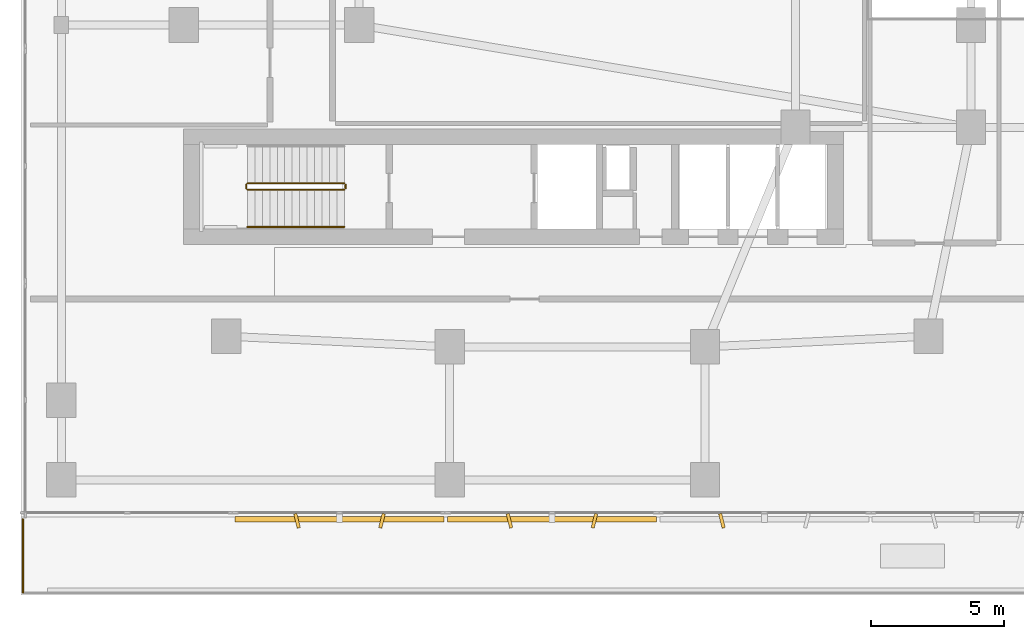
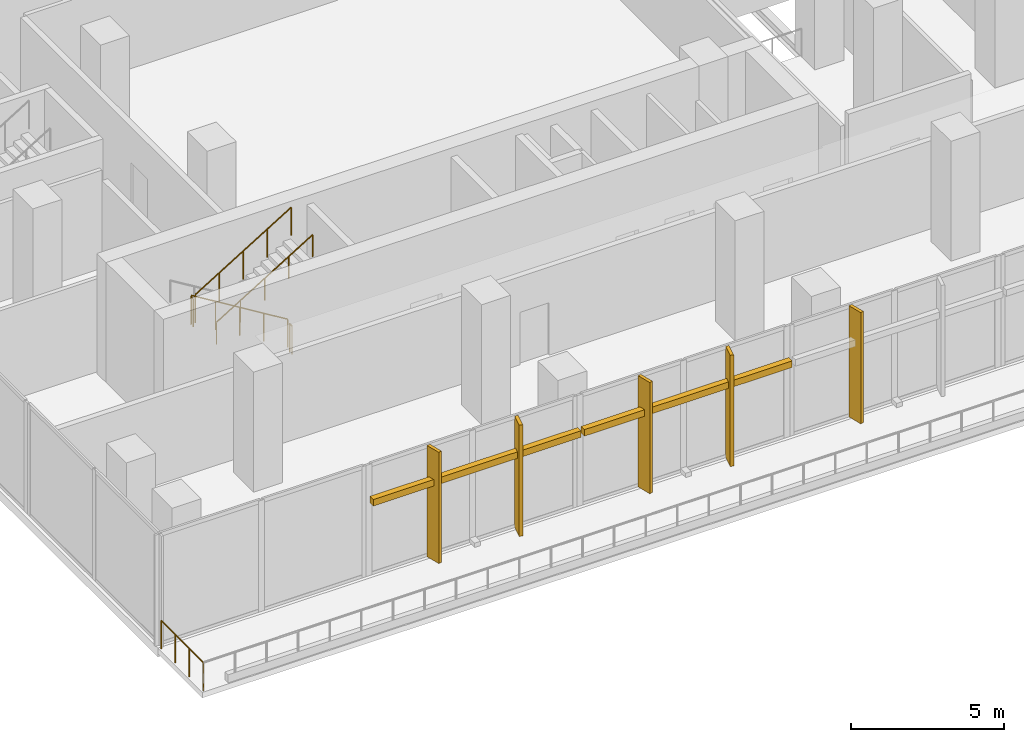
# One storey, part 18 of 30: 7 shading devices, 6 railings.
"""IFC4 building model written with IfcOpenShell, lengths in metres."""

from ifc_helpers import new_model, si_unit, derived_unit, direction, frame, origin, origin_2d, place, context, subcontext, project, spatial, rectangle, circle, extrude, material, type_object, element, save


model = new_model("IFC4")

# Units and contexts
model_context = context("Model", 3, precision=1e-05, world=origin(), true_north=direction((0.0, 1.0)))
body_context = subcontext(model_context, "Body", "Model", "MODEL_VIEW")
ifc_project = project(units=[si_unit("LENGTHUNIT", "METRE"), si_unit("AREAUNIT", "SQUARE_METRE"), si_unit("VOLUMEUNIT", "CUBIC_METRE"), si_unit("PLANEANGLEUNIT", "RADIAN"), si_unit("MASSUNIT", "GRAM", prefix="KILO"), derived_unit("THERMALTRANSMITTANCEUNIT", [(si_unit("POWERUNIT", "WATT"), 1), (si_unit("LENGTHUNIT", "METRE"), -2), (si_unit("THERMODYNAMICTEMPERATUREUNIT", "KELVIN"), -1)])], contexts=[model_context])

# Site, building, storey
site_placement = place(None, origin())
site = spatial("IfcSite", under=ifc_project, at=site_placement, CompositionType="ELEMENT")
building_placement = place(site_placement, origin())
building = spatial("IfcBuilding", under=site, at=building_placement, Name="Kivonza Crest Hotel", CompositionType="ELEMENT")
storey_placement = place(building_placement, frame((0.0, 0.0, 10.199951171875)))
storey = spatial("IfcBuildingStorey", under=building, at=storey_placement, Name="L02", CompositionType="ELEMENT", Elevation=10.199951171875)

# Railings
ifc_material_1 = material(Name="Brushed stainless steel handrail", Category="steel")
railing_type_1 = type_object("IfcRailingType", Name="RL-HAND-900", PredefinedType="HANDRAIL", material=ifc_material_1)
railing_1_placement = place(storey_placement, frame((8.60009765625, 13.909912109375, 2.571533203125)))
element("IfcRailing", 1, at=railing_1_placement, inside=storey, type_object=railing_type_1, Name="L02 ST-T1-S stair handrail 2", PredefinedType="HANDRAIL", context=body_context, shape_type="SweptSolid", body=[
    extrude(circle(Radius=0.02392578125, at=origin_2d()), frame((0.0, 0.0, 0.8759765625), z_axis=(0.852850264322, 0.0, 0.5221555579), x_axis=(0.0, 1.0, 0.0)), (0.0, 0.0, 1.0), 4.267822265625),
    extrude(circle(Radius=0.02099609375, at=origin_2d()), origin(), (0.0, 0.0, 1.0), 0.851806640625),
    extrude(circle(Radius=0.02099609375, at=origin_2d()), frame((0.909912109375, 0.0, 0.55712890625)), (0.0, 0.0, 1.0), 0.851806640625),
    extrude(circle(Radius=0.02099609375, at=origin_2d()), frame((1.81982421875, 0.0, 1.1142578125)), (0.0, 0.0, 1.0), 0.851806640625),
    extrude(circle(Radius=0.02099609375, at=origin_2d()), frame((2.72998046875, 0.0, 1.67138671875)), (0.0, 0.0, 1.0), 0.851806640625),
    extrude(circle(Radius=0.02099609375, at=origin_2d()), frame((3.639892578125, 0.0, 2.228515625)), (0.0, 0.0, 1.0), 0.851806640625),
])
ifc_material_2 = material(Name="Painted steel balustrade", Category="steel")
railing_type_2 = type_object("IfcRailingType", Name="RL-STAIR-1150", PredefinedType="BALUSTRADE", material=ifc_material_2)
railing_2_placement = place(storey_placement, frame((12.239990234375, 15.550048828125, 0.17138671875)))
element("IfcRailing", 2, at=railing_2_placement, inside=storey, type_object=railing_type_2, Name="L02 ST-T1-S stair guard 1", PredefinedType="BALUSTRADE", context=body_context, shape_type="SweptSolid", body=[
    extrude(circle(Radius=0.02392578125, at=origin_2d()), frame((0.0, 0.0, 1.1259765625), z_axis=(-0.852824790078, 0.0, 0.522197163366), x_axis=(0.0, -1.0, 0.0)), (0.0, 0.0, 1.0), 4.26806640625),
    extrude(circle(Radius=0.02099609375, at=origin_2d()), origin(), (0.0, 0.0, 1.0), 1.101806640625),
    extrude(circle(Radius=0.02099609375, at=origin_2d()), frame((-0.909912109375, 0.0, 0.55712890625)), (0.0, 0.0, 1.0), 1.101806640625),
    extrude(circle(Radius=0.02099609375, at=origin_2d()), frame((-1.81982421875, 0.0, 1.1142578125)), (0.0, 0.0, 1.0), 1.101806640625),
    extrude(circle(Radius=0.02099609375, at=origin_2d()), frame((-2.72998046875, 0.0, 1.671630859375)), (0.0, 0.0, 1.0), 1.101806640625),
    extrude(circle(Radius=0.02099609375, at=origin_2d()), frame((-3.639892578125, 0.0, 2.228759765625)), (0.0, 0.0, 1.0), 1.101806640625),
])
railing_3_placement = place(storey_placement, frame((8.550048828125, 15.5, 2.400146484375)))
element("IfcRailing", 3, at=railing_3_placement, inside=storey, type_object=railing_type_2, Name="L02 ST-T1-S stair guard 2", PredefinedType="BALUSTRADE", context=body_context, shape_type="SweptSolid", body=[
    extrude(circle(Radius=0.02392578125, at=origin_2d()), frame((0.0, 0.0, 1.1259765625), z_axis=(0.0, -1.0, 0.0), x_axis=(1.0, 0.0, 0.0)), (0.0, 0.0, 1.0), 0.139892578125),
    extrude(circle(Radius=0.02099609375, at=origin_2d()), origin(), (0.0, 0.0, 1.0), 1.101806640625),
    extrude(circle(Radius=0.02099609375, at=origin_2d()), frame((0.0, -0.139892578125, 0.0)), (0.0, 0.0, 1.0), 1.101806640625),
])
railing_4_placement = place(storey_placement, frame((8.60009765625, 15.31005859375, 2.571533203125)))
element("IfcRailing", 4, at=railing_4_placement, inside=storey, type_object=railing_type_2, Name="L02 ST-T1-S stair guard 3", PredefinedType="BALUSTRADE", context=body_context, shape_type="SweptSolid", body=[
    extrude(circle(Radius=0.02392578125, at=origin_2d()), frame((0.0, 0.0, 1.1259765625), z_axis=(0.852850264322, 0.0, 0.5221555579), x_axis=(0.0, 1.0, 0.0)), (0.0, 0.0, 1.0), 4.267822265625),
    extrude(circle(Radius=0.02099609375, at=origin_2d()), origin(), (0.0, 0.0, 1.0), 1.101806640625),
    extrude(circle(Radius=0.02099609375, at=origin_2d()), frame((0.909912109375, 0.0, 0.55712890625)), (0.0, 0.0, 1.0), 1.101806640625),
    extrude(circle(Radius=0.02099609375, at=origin_2d()), frame((1.81982421875, 0.0, 1.1142578125)), (0.0, 0.0, 1.0), 1.101806640625),
    extrude(circle(Radius=0.02099609375, at=origin_2d()), frame((2.72998046875, 0.0, 1.67138671875)), (0.0, 0.0, 1.0), 1.101806640625),
    extrude(circle(Radius=0.02099609375, at=origin_2d()), frame((3.639892578125, 0.0, 2.228515625)), (0.0, 0.0, 1.0), 1.101806640625),
])
railing_5_placement = place(storey_placement, frame((12.2900390625, 15.5, 0.0)))
element("IfcRailing", 5, at=railing_5_placement, inside=storey, type_object=railing_type_2, Name="L02 ST-T1-S stair guard 4", PredefinedType="BALUSTRADE", context=body_context, shape_type="SweptSolid", body=[
    extrude(circle(Radius=0.02392578125, at=origin_2d()), frame((0.0, 0.0, 1.1259765625), z_axis=(0.0, -1.0, 0.0), x_axis=(1.0, 0.0, 0.0)), (0.0, 0.0, 1.0), 0.139892578125),
    extrude(circle(Radius=0.02099609375, at=origin_2d()), origin(), (0.0, 0.0, 1.0), 1.101806640625),
    extrude(circle(Radius=0.02099609375, at=origin_2d()), frame((0.0, -0.139892578125, 0.0)), (0.0, 0.0, 1.0), 1.101806640625),
])
ifc_material_3 = material(Name="Laminated glass and stainless steel balustrade", Category="steel")
railing_type_3 = type_object("IfcRailingType", Name="RL-TERR-1150", PredefinedType="BALUSTRADE", material=ifc_material_3)
railing_6_placement = place(storey_placement, frame((0.159912109375, 0.159912109375, 0.0)))
element("IfcRailing", 6, at=railing_6_placement, inside=storey, type_object=railing_type_3, Name="L02 POD-L02-T1 perimeter safety balustrade 1", PredefinedType="BALUSTRADE", context=body_context, shape_type="SweptSolid", body=[
    extrude(circle(Radius=0.02392578125, at=origin_2d()), frame((0.0, 0.0, 1.1259765625), z_axis=(0.0, 1.0, 0.0), x_axis=(-1.0, 0.0, 0.0)), (0.0, 0.0, 1.0), 2.760009765625),
    extrude(circle(Radius=0.02099609375, at=origin_2d()), origin(), (0.0, 0.0, 1.0), 1.101806640625),
    extrude(circle(Radius=0.02099609375, at=origin_2d()), frame((0.0, 0.919921875, 0.0)), (0.0, 0.0, 1.0), 1.101806640625),
    extrude(circle(Radius=0.02099609375, at=origin_2d()), frame((0.0, 1.840087890625, 0.0)), (0.0, 0.0, 1.0), 1.101806640625),
    extrude(circle(Radius=0.02099609375, at=origin_2d()), frame((0.0, 2.760009765625, 0.0)), (0.0, 0.0, 1.0), 1.101806640625),
])

# Shading devices
ifc_material_4 = material(Name="Kiln-fired Nairobi red-ochre terracotta", Category="masonry")
shading_device_type_1 = type_object("IfcShadingDeviceType", Name="SH-BAGUETTE-300", PredefinedType="USERDEFINED", material=ifc_material_4)
shading_device_1_placement = place(storey_placement, frame((12.06005859375, 2.919921875, 2.98486328125), z_axis=(0.0, 0.0, 1.0), x_axis=(1.0, 0.0, 0.0)))
element("IfcShadingDevice", 7, at=shading_device_1_placement, inside=storey, type_object=shading_device_type_1, Name="L02 terracotta baguette screen CW-POD-L02-02", ObjectType="BAGUETTE", PredefinedType="USERDEFINED", context=body_context, shape_type="SweptSolid", body=[
    extrude(rectangle(XDim=7.865966796875, YDim=0.219970703125, at=origin_2d()), origin(), (0.0, 0.0, 1.0), 0.260009765625),
])
shading_device_2_placement = place(storey_placement, frame((20.047119140625, 2.919921875, 2.98486328125), z_axis=(0.0, 0.0, 1.0), x_axis=(1.0, 0.0, 0.0)))
element("IfcShadingDevice", 8, at=shading_device_2_placement, inside=storey, type_object=shading_device_type_1, Name="L02 terracotta baguette screen CW-POD-L02-03", ObjectType="BAGUETTE", PredefinedType="USERDEFINED", context=body_context, shape_type="SweptSolid", body=[
    extrude(rectangle(XDim=7.866943359375, YDim=0.219970703125, at=origin_2d()), origin(), (0.0, 0.0, 1.0), 0.260009765625),
])
ifc_material_5 = material(Name="Kiln-fired terracotta over extruded aluminium spine", Category="masonry")
shading_device_type_2 = type_object("IfcShadingDeviceType", Name="SH-FIN-550", PredefinedType="USERDEFINED", material=ifc_material_5)
for number, where, z_axis, x_axis, name in (
    (9, (10.462890625, 2.860107421875, 0.0), (0.0, 0.0, 1.0), (0.970295726276, 0.2419218956, 0.0), "L02 vertical solar shading fin CW-POD-L02-02-1"),
    (10, (13.656982421875, 2.860107421875, 0.0), (0.0, 0.0, 1.0), (0.970295726276, -0.2419218956, 0.0), "L02 vertical solar shading fin CW-POD-L02-02-2"),
    (11, (18.448974609375, 2.860107421875, 0.0), (0.0, 0.0, 1.0), (0.970295726276, 0.2419218956, 0.0), "L02 vertical solar shading fin CW-POD-L02-03-1"),
    (12, (21.64404296875, 2.860107421875, 0.0), (0.0, 0.0, 1.0), (0.970295726276, -0.2419218956, 0.0), "L02 vertical solar shading fin CW-POD-L02-03-2"),
    (13, (26.43603515625, 2.860107421875, 0.0), (0.0, 0.0, 1.0), (0.970295726276, 0.2419218956, 0.0), "L02 vertical solar shading fin CW-POD-L02-04-1"),
):
    element("IfcShadingDevice", number, at=place(storey_placement, frame(where, z_axis=z_axis, x_axis=x_axis)), inside=storey, type_object=shading_device_type_2, Name=name, ObjectType="FIN", PredefinedType="USERDEFINED", context=body_context, shape_type="SweptSolid", body=[
        extrude(rectangle(XDim=0.1201171875, YDim=0.550048828125, at=origin_2d()), origin(), (0.0, 0.0, 1.0), 4.449951171875),
    ])

save(model, "model.ifc")
